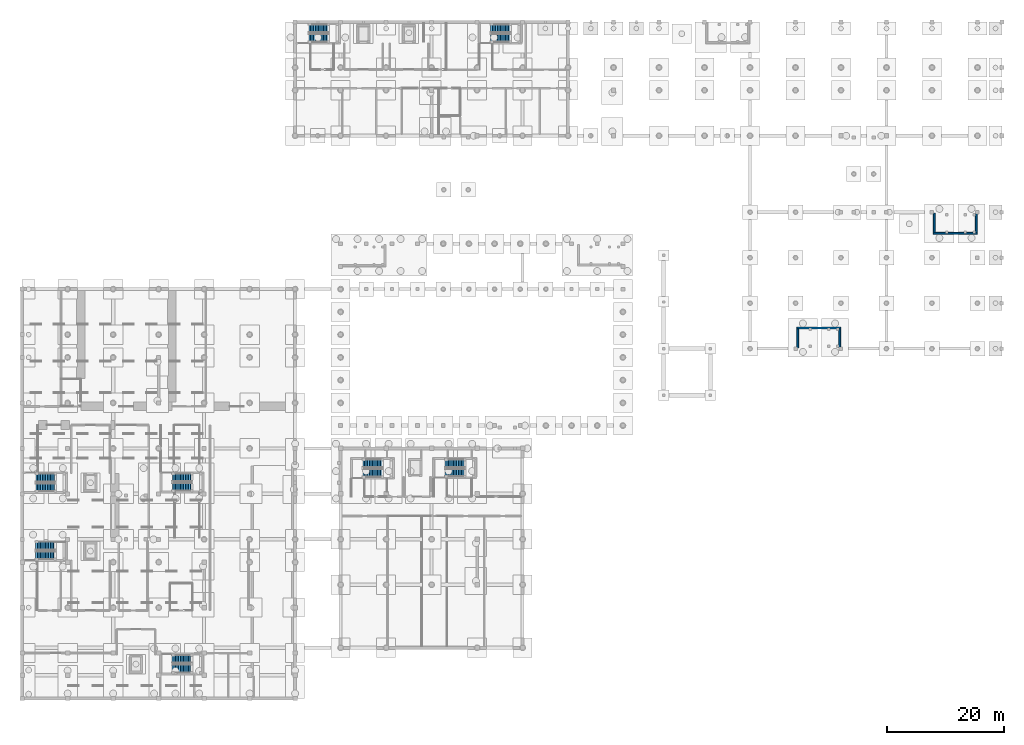
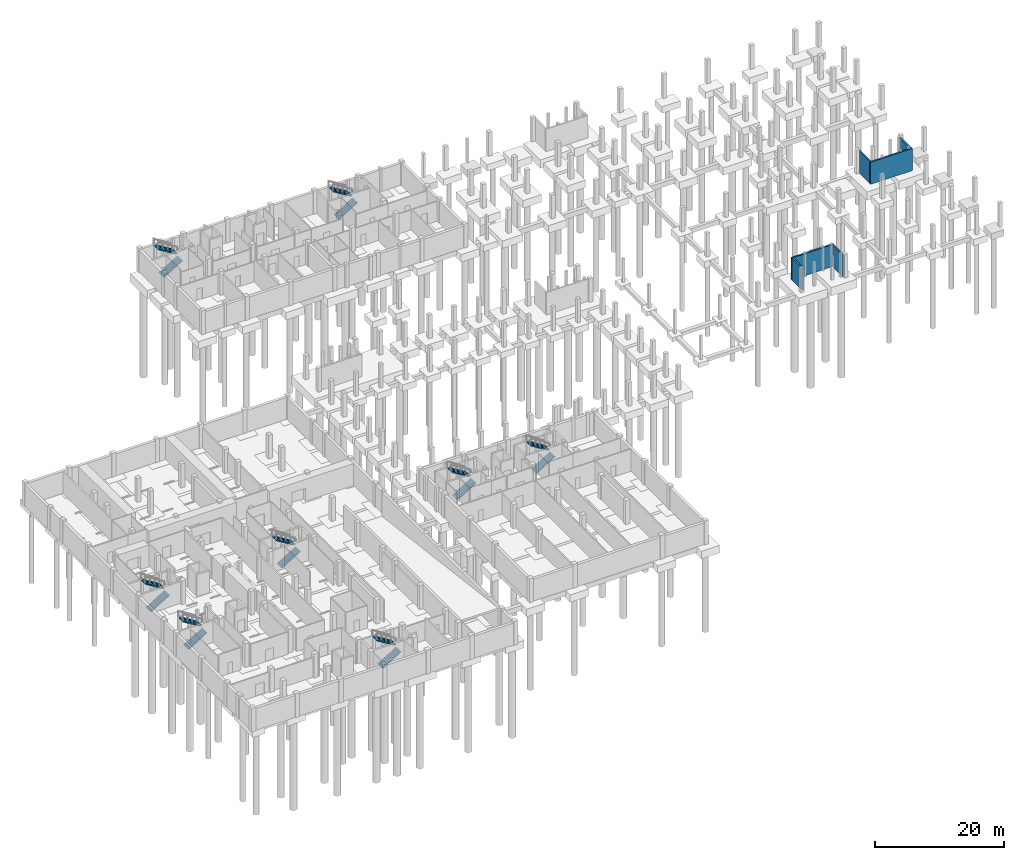
# One storey, part 18 of 24: 16 stair flights, 6 walls, 8 elements without a shape of their own.
"""IFC4 building model written with IfcOpenShell, lengths in metres."""

from ifc_helpers import new_model, si_unit, direction, frame, frame_2d, origin, place, context, subcontext, project, spatial, polyline, rectangle, outline, extrude, material, layer, layer_set, type_object, element, aggregate, save


model = new_model("IFC4")

# Units and contexts
model_context = context("Model", 3, precision=1e-05, world=origin(), true_north=direction((0.0, 1.0)))
body_context = subcontext(model_context, "Body", "Model", "MODEL_VIEW")
ifc_project = project(units=[si_unit("LENGTHUNIT", "METRE"), si_unit("AREAUNIT", "SQUARE_METRE"), si_unit("VOLUMEUNIT", "CUBIC_METRE"), si_unit("PLANEANGLEUNIT", "RADIAN"), si_unit("MASSUNIT", "GRAM", prefix="KILO")], contexts=[model_context])

# Site, building, storey
site_placement = place(None, origin())
site = spatial("IfcSite", under=ifc_project, at=site_placement, CompositionType="ELEMENT")
building_placement = place(site_placement, origin())
building = spatial("IfcBuilding", under=site, at=building_placement, Name="Celorna Specialist Clinic", CompositionType="ELEMENT")
storey_placement = place(building_placement, frame((0.0, 0.0, -4.5)))
storey = spatial("IfcBuildingStorey", under=building, at=storey_placement, Name="B01", CompositionType="ELEMENT", Elevation=-4.5)

# Walls
ifc_material = material(Name="Concrete C35/45", Category="concrete")
ifc_layer = layer(ifc_material, 0.300048828125, Name="Concrete C35/45")
ifc_layer_set = layer_set([ifc_layer], Name="Concrete C35/45")
wall_type = type_object("IfcWallType", Name="WT-08", PredefinedType="SHEAR", material=ifc_layer_set)
wall_1_placement = place(storey_placement, frame((156.239990234375, 79.77001953125, 0.0), z_axis=(0.0, 0.0, 1.0), x_axis=(1.0, 0.0, 0.0)))
element("IfcWall", 1, at=wall_1_placement, inside=storey, type_object=wall_type, Name="Stair ST-12 RC core wall B01 south", PredefinedType="SHEAR", context=body_context, shape_type="SweptSolid", body=[
    extrude(rectangle(XDim=7.5, YDim=0.300048828125, at=frame_2d((3.75, 0.0))), origin(), (0.0, 0.0, 1.0), 4.159912109375),
])
for number, where, z_axis, x_axis, name in (
    (2, (156.389892578125, 83.25, 0.0), (0.0, 0.0, 1.0), (0.0, -1.0, 0.0), "Stair ST-12 RC core wall B01 west"),
    (3, (163.590087890625, 79.919921875, 0.0), (0.0, 0.0, 1.0), (0.0, 1.0, 0.0), "Stair ST-12 RC core wall B01 east"),
):
    element("IfcWall", number, at=place(storey_placement, frame(where, z_axis=z_axis, x_axis=x_axis)), inside=storey, type_object=wall_type, Name=name, PredefinedType="SHEAR", context=body_context, shape_type="SweptSolid", body=[
        extrude(rectangle(XDim=3.330078125, YDim=0.300048828125, at=frame_2d((1.6650390625, 0.0))), origin(), (0.0, 0.0, 1.0), 4.159912109375),
    ])
wall_2_placement = place(storey_placement, frame((140.340087890625, 63.530029296875, 0.0), z_axis=(0.0, 0.0, 1.0), x_axis=(-1.0, 0.0, 0.0)))
element("IfcWall", 4, at=wall_2_placement, inside=storey, type_object=wall_type, Name="Stair ST-13 RC core wall B01 north", PredefinedType="SHEAR", context=body_context, shape_type="SweptSolid", body=[
    extrude(rectangle(XDim=7.5, YDim=0.300048828125, at=frame_2d((3.75, 0.0))), origin(), (0.0, 0.0, 1.0), 4.159912109375),
])
for number, where, z_axis, x_axis, name in (
    (5, (132.989990234375, 63.3798828125, 0.0), (0.0, 0.0, 1.0), (0.0, -1.0, 0.0), "Stair ST-13 RC core wall B01 west"),
    (6, (140.18994140625, 60.14990234375, 0.0), (0.0, 0.0, 1.0), (0.0, 1.0, 0.0), "Stair ST-13 RC core wall B01 east"),
):
    element("IfcWall", number, at=place(storey_placement, frame(where, z_axis=z_axis, x_axis=x_axis)), inside=storey, type_object=wall_type, Name=name, PredefinedType="SHEAR", context=body_context, shape_type="SweptSolid", body=[
        extrude(rectangle(XDim=3.22998046875, YDim=0.300048828125, at=frame_2d((1.614990234375, 0.0))), origin(), (0.0, 0.0, 1.0), 4.159912109375),
    ])

# Stair, stair flights
stair_type_1 = type_object("IfcStairType", Name="ST-01", PredefinedType="HALF_TURN_STAIR", material=ifc_material)
stair_1_placement = place(storey_placement, origin())
stair_1 = element("IfcStair", 7, at=stair_1_placement, inside=storey, type_object=stair_type_1, Name="B01 Protected exit stair ST-01", PredefinedType="HALF_TURN_STAIR")
stair_flight_type_1 = type_object("IfcStairFlightType", Name="SFL-01", PredefinedType="STRAIGHT", material=ifc_material)
stair_flight_1_placement = place(storey_placement, frame((49.139892578125, 113.2451171875, 0.0), z_axis=(0.0, 0.0, 1.0), x_axis=(1.0, 0.0, 0.0)))
stair_flight_1 = element("IfcStairFlight", 8, at=stair_flight_1_placement, type_object=stair_flight_type_1, Name="ST-01 flight 1", NumberOfRisers=13, NumberOfTreads=12, PredefinedType="STRAIGHT", RiserHeight=0.173076923, TreadLength=0.28, context=body_context, shape_type="SweptSolid", body=[
    extrude(outline(polyline([(0.0, 0.0), (0.0, 0.173095703125), (0.280029296875, 0.173095703125), (0.280029296875, 0.34619140625), (0.56005859375, 0.34619140625), (0.56005859375, 0.519287109375), (0.840087890625, 0.519287109375), (0.840087890625, 0.6923828125), (1.1201171875, 0.6923828125), (1.1201171875, 0.865478515625), (1.39990234375, 0.865478515625), (1.39990234375, 1.03857421875), (1.679931640625, 1.03857421875), (1.679931640625, 1.21142578125), (1.9599609375, 1.21142578125), (1.9599609375, 1.384521484375), (2.239990234375, 1.384521484375), (2.239990234375, 1.5576171875), (2.52001953125, 1.5576171875), (2.52001953125, 1.730712890625), (2.800048828125, 1.730712890625), (2.800048828125, 1.90380859375), (3.080078125, 1.90380859375), (3.080078125, 2.076904296875), (3.360107421875, 2.076904296875), (3.360107421875, 2.25), (3.360107421875, 1.900634765625), (0.28515625, 0.0), (0.0, 0.0)])), frame((0.0, 0.72509765625, 0.0), z_axis=(0.0, -1.0, 0.0), x_axis=(1.0, 0.0, 0.0)), (0.0, 0.0, 1.0), 1.449951171875),
])
stair_flight_2_placement = place(storey_placement, frame((52.5, 114.89501953125, 2.25), z_axis=(0.0, 0.0, 1.0), x_axis=(-1.0, 0.0, 0.0)))
stair_flight_2 = element("IfcStairFlight", 9, at=stair_flight_2_placement, type_object=stair_flight_type_1, Name="ST-01 flight 2", NumberOfRisers=13, NumberOfTreads=12, PredefinedType="STRAIGHT", RiserHeight=0.173076923, TreadLength=0.28, context=body_context, shape_type="SweptSolid", body=[
    extrude(outline(polyline([(0.0, 0.0), (0.0, 0.173095703125), (0.280029296875, 0.173095703125), (0.280029296875, 0.34619140625), (0.56005859375, 0.34619140625), (0.56005859375, 0.519287109375), (0.840087890625, 0.519287109375), (0.840087890625, 0.6923828125), (1.1201171875, 0.6923828125), (1.1201171875, 0.865478515625), (1.39990234375, 0.865478515625), (1.39990234375, 1.03857421875), (1.679931640625, 1.03857421875), (1.679931640625, 1.21142578125), (1.9599609375, 1.21142578125), (1.9599609375, 1.384521484375), (2.239990234375, 1.384521484375), (2.239990234375, 1.5576171875), (2.52001953125, 1.5576171875), (2.52001953125, 1.730712890625), (2.800048828125, 1.730712890625), (2.800048828125, 1.90380859375), (3.080078125, 1.90380859375), (3.080078125, 2.076904296875), (3.360107421875, 2.076904296875), (3.360107421875, 2.25), (3.360107421875, 1.900634765625), (0.28515625, 0.0), (0.0, 0.0)])), frame((0.0, 0.72509765625, 0.0), z_axis=(0.0, -1.0, 0.0), x_axis=(1.0, 0.0, 0.0)), (0.0, 0.0, 1.0), 1.449951171875),
])
aggregate(stair_1, [stair_flight_1, stair_flight_2])

stair_2_placement = place(storey_placement, origin())
stair_2 = element("IfcStair", 10, at=stair_2_placement, inside=storey, type_object=stair_type_1, Name="B01 Protected exit stair ST-02", PredefinedType="HALF_TURN_STAIR")
stair_flight_3_placement = place(storey_placement, frame((80.340087890625, 113.2451171875, 0.0), z_axis=(0.0, 0.0, 1.0), x_axis=(1.0, 0.0, 0.0)))
stair_flight_3 = element("IfcStairFlight", 11, at=stair_flight_3_placement, type_object=stair_flight_type_1, Name="ST-02 flight 1", NumberOfRisers=13, NumberOfTreads=12, PredefinedType="STRAIGHT", RiserHeight=0.173076923, TreadLength=0.28, context=body_context, shape_type="SweptSolid", body=[
    extrude(outline(polyline([(0.0, 0.0), (0.0, 0.173095703125), (0.280029296875, 0.173095703125), (0.280029296875, 0.34619140625), (0.56005859375, 0.34619140625), (0.56005859375, 0.519287109375), (0.840087890625, 0.519287109375), (0.840087890625, 0.6923828125), (1.1201171875, 0.6923828125), (1.1201171875, 0.865478515625), (1.39990234375, 0.865478515625), (1.39990234375, 1.03857421875), (1.679931640625, 1.03857421875), (1.679931640625, 1.21142578125), (1.9599609375, 1.21142578125), (1.9599609375, 1.384521484375), (2.239990234375, 1.384521484375), (2.239990234375, 1.5576171875), (2.52001953125, 1.5576171875), (2.52001953125, 1.730712890625), (2.800048828125, 1.730712890625), (2.800048828125, 1.90380859375), (3.080078125, 1.90380859375), (3.080078125, 2.076904296875), (3.360107421875, 2.076904296875), (3.360107421875, 2.25), (3.360107421875, 1.900634765625), (0.28515625, 0.0), (0.0, 0.0)])), frame((0.0, 0.72509765625, 0.0), z_axis=(0.0, -1.0, 0.0), x_axis=(1.0, 0.0, 0.0)), (0.0, 0.0, 1.0), 1.449951171875),
])
stair_flight_4_placement = place(storey_placement, frame((83.699951171875, 114.89501953125, 2.25), z_axis=(0.0, 0.0, 1.0), x_axis=(-1.0, 0.0, 0.0)))
stair_flight_4 = element("IfcStairFlight", 12, at=stair_flight_4_placement, type_object=stair_flight_type_1, Name="ST-02 flight 2", NumberOfRisers=13, NumberOfTreads=12, PredefinedType="STRAIGHT", RiserHeight=0.173076923, TreadLength=0.28, context=body_context, shape_type="SweptSolid", body=[
    extrude(outline(polyline([(0.0, 0.0), (0.0, 0.173095703125), (0.280029296875, 0.173095703125), (0.280029296875, 0.34619140625), (0.56005859375, 0.34619140625), (0.56005859375, 0.519287109375), (0.840087890625, 0.519287109375), (0.840087890625, 0.6923828125), (1.1201171875, 0.6923828125), (1.1201171875, 0.865478515625), (1.39990234375, 0.865478515625), (1.39990234375, 1.03857421875), (1.679931640625, 1.03857421875), (1.679931640625, 1.21142578125), (1.9599609375, 1.21142578125), (1.9599609375, 1.384521484375), (2.239990234375, 1.384521484375), (2.239990234375, 1.5576171875), (2.52001953125, 1.5576171875), (2.52001953125, 1.730712890625), (2.800048828125, 1.730712890625), (2.800048828125, 1.90380859375), (3.080078125, 1.90380859375), (3.080078125, 2.076904296875), (3.360107421875, 2.076904296875), (3.360107421875, 2.25), (3.360107421875, 1.900634765625), (0.28515625, 0.0), (0.0, 0.0)])), frame((0.0, 0.72509765625, 0.0), z_axis=(0.0, -1.0, 0.0), x_axis=(1.0, 0.0, 0.0)), (0.0, 0.0, 1.0), 1.449951171875),
])
aggregate(stair_2, [stair_flight_3, stair_flight_4])

stair_3_placement = place(storey_placement, origin())
stair_3 = element("IfcStair", 13, at=stair_3_placement, inside=storey, type_object=stair_type_1, Name="B01 Protected exit stair ST-04", PredefinedType="HALF_TURN_STAIR")
stair_flight_5_placement = place(storey_placement, frame((2.31005859375, 24.544921875, 0.0), z_axis=(0.0, 0.0, 1.0), x_axis=(1.0, 0.0, 0.0)))
stair_flight_5 = element("IfcStairFlight", 14, at=stair_flight_5_placement, type_object=stair_flight_type_1, Name="ST-04 flight 1", NumberOfRisers=13, NumberOfTreads=12, PredefinedType="STRAIGHT", RiserHeight=0.173076923, TreadLength=0.28, context=body_context, shape_type="SweptSolid", body=[
    extrude(outline(polyline([(0.0, 0.0), (0.0, 0.173095703125), (0.280029296875, 0.173095703125), (0.280029296875, 0.34619140625), (0.56005859375, 0.34619140625), (0.56005859375, 0.519287109375), (0.840087890625, 0.519287109375), (0.840087890625, 0.6923828125), (1.1201171875, 0.6923828125), (1.1201171875, 0.865478515625), (1.39990234375, 0.865478515625), (1.39990234375, 1.03857421875), (1.679931640625, 1.03857421875), (1.679931640625, 1.21142578125), (1.9599609375, 1.21142578125), (1.9599609375, 1.384521484375), (2.239990234375, 1.384521484375), (2.239990234375, 1.5576171875), (2.52001953125, 1.5576171875), (2.52001953125, 1.730712890625), (2.800048828125, 1.730712890625), (2.800048828125, 1.90380859375), (3.080078125, 1.90380859375), (3.080078125, 2.076904296875), (3.360107421875, 2.076904296875), (3.360107421875, 2.25), (3.360107421875, 1.900634765625), (0.28515625, 0.0), (0.0, 0.0)])), frame((0.0, 0.72509765625, 0.0), z_axis=(0.0, -1.0, 0.0), x_axis=(1.0, 0.0, 0.0)), (0.0, 0.0, 1.0), 1.449951171875),
])
stair_flight_6_placement = place(storey_placement, frame((5.669921875, 26.195068359375, 2.25), z_axis=(0.0, 0.0, 1.0), x_axis=(-1.0, 0.0, 0.0)))
stair_flight_6 = element("IfcStairFlight", 15, at=stair_flight_6_placement, type_object=stair_flight_type_1, Name="ST-04 flight 2", NumberOfRisers=13, NumberOfTreads=12, PredefinedType="STRAIGHT", RiserHeight=0.173076923, TreadLength=0.28, context=body_context, shape_type="SweptSolid", body=[
    extrude(outline(polyline([(0.0, 0.0), (0.0, 0.173095703125), (0.280029296875, 0.173095703125), (0.280029296875, 0.34619140625), (0.56005859375, 0.34619140625), (0.56005859375, 0.519287109375), (0.840087890625, 0.519287109375), (0.840087890625, 0.6923828125), (1.1201171875, 0.6923828125), (1.1201171875, 0.865478515625), (1.39990234375, 0.865478515625), (1.39990234375, 1.03857421875), (1.679931640625, 1.03857421875), (1.679931640625, 1.21142578125), (1.9599609375, 1.21142578125), (1.9599609375, 1.384521484375), (2.239990234375, 1.384521484375), (2.239990234375, 1.5576171875), (2.52001953125, 1.5576171875), (2.52001953125, 1.730712890625), (2.800048828125, 1.730712890625), (2.800048828125, 1.90380859375), (3.080078125, 1.90380859375), (3.080078125, 2.076904296875), (3.360107421875, 2.076904296875), (3.360107421875, 2.25), (3.360107421875, 1.900634765625), (0.28515625, 0.0), (0.0, 0.0)])), frame((0.0, 0.72509765625, 0.0), z_axis=(0.0, -1.0, 0.0), x_axis=(1.0, 0.0, 0.0)), (0.0, 0.0, 1.0), 1.449951171875),
])
aggregate(stair_3, [stair_flight_5, stair_flight_6])

stair_4_placement = place(storey_placement, origin())
stair_4 = element("IfcStair", 16, at=stair_4_placement, inside=storey, type_object=stair_type_1, Name="B01 Protected exit stair ST-05", PredefinedType="HALF_TURN_STAIR")
stair_flight_7_placement = place(storey_placement, frame((25.7099609375, 5.10498046875, 0.0), z_axis=(0.0, 0.0, 1.0), x_axis=(1.0, 0.0, 0.0)))
stair_flight_7 = element("IfcStairFlight", 17, at=stair_flight_7_placement, type_object=stair_flight_type_1, Name="ST-05 flight 1", NumberOfRisers=13, NumberOfTreads=12, PredefinedType="STRAIGHT", RiserHeight=0.173076923, TreadLength=0.28, context=body_context, shape_type="SweptSolid", body=[
    extrude(outline(polyline([(0.0, 0.0), (0.0, 0.173095703125), (0.280029296875, 0.173095703125), (0.280029296875, 0.34619140625), (0.56005859375, 0.34619140625), (0.56005859375, 0.519287109375), (0.840087890625, 0.519287109375), (0.840087890625, 0.6923828125), (1.1201171875, 0.6923828125), (1.1201171875, 0.865478515625), (1.39990234375, 0.865478515625), (1.39990234375, 1.03857421875), (1.679931640625, 1.03857421875), (1.679931640625, 1.21142578125), (1.9599609375, 1.21142578125), (1.9599609375, 1.384521484375), (2.239990234375, 1.384521484375), (2.239990234375, 1.5576171875), (2.52001953125, 1.5576171875), (2.52001953125, 1.730712890625), (2.800048828125, 1.730712890625), (2.800048828125, 1.90380859375), (3.080078125, 1.90380859375), (3.080078125, 2.076904296875), (3.360107421875, 2.076904296875), (3.360107421875, 2.25), (3.360107421875, 1.900634765625), (0.28515625, 0.0), (0.0, 0.0)])), frame((0.0, 0.72509765625, 0.0), z_axis=(0.0, -1.0, 0.0), x_axis=(1.0, 0.0, 0.0)), (0.0, 0.0, 1.0), 1.449951171875),
])
stair_flight_8_placement = place(storey_placement, frame((29.070068359375, 6.7548828125, 2.25), z_axis=(0.0, 0.0, 1.0), x_axis=(-1.0, 0.0, 0.0)))
stair_flight_8 = element("IfcStairFlight", 18, at=stair_flight_8_placement, type_object=stair_flight_type_1, Name="ST-05 flight 2", NumberOfRisers=13, NumberOfTreads=12, PredefinedType="STRAIGHT", RiserHeight=0.173076923, TreadLength=0.28, context=body_context, shape_type="SweptSolid", body=[
    extrude(outline(polyline([(0.0, 0.0), (0.0, 0.173095703125), (0.280029296875, 0.173095703125), (0.280029296875, 0.34619140625), (0.56005859375, 0.34619140625), (0.56005859375, 0.519287109375), (0.840087890625, 0.519287109375), (0.840087890625, 0.6923828125), (1.1201171875, 0.6923828125), (1.1201171875, 0.865478515625), (1.39990234375, 0.865478515625), (1.39990234375, 1.03857421875), (1.679931640625, 1.03857421875), (1.679931640625, 1.21142578125), (1.9599609375, 1.21142578125), (1.9599609375, 1.384521484375), (2.239990234375, 1.384521484375), (2.239990234375, 1.5576171875), (2.52001953125, 1.5576171875), (2.52001953125, 1.730712890625), (2.800048828125, 1.730712890625), (2.800048828125, 1.90380859375), (3.080078125, 1.90380859375), (3.080078125, 2.076904296875), (3.360107421875, 2.076904296875), (3.360107421875, 2.25), (3.360107421875, 1.900634765625), (0.28515625, 0.0), (0.0, 0.0)])), frame((0.0, 0.72509765625, 0.0), z_axis=(0.0, -1.0, 0.0), x_axis=(1.0, 0.0, 0.0)), (0.0, 0.0, 1.0), 1.449951171875),
])
aggregate(stair_4, [stair_flight_7, stair_flight_8])

stair_5_placement = place(storey_placement, origin())
stair_5 = element("IfcStair", 19, at=stair_5_placement, inside=storey, type_object=stair_type_1, Name="B01 Protected exit stair ST-06", PredefinedType="HALF_TURN_STAIR")
stair_flight_9_placement = place(storey_placement, frame((2.340087890625, 36.205078125, 0.0), z_axis=(0.0, 0.0, 1.0), x_axis=(1.0, 0.0, 0.0)))
stair_flight_9 = element("IfcStairFlight", 20, at=stair_flight_9_placement, type_object=stair_flight_type_1, Name="ST-06 flight 1", NumberOfRisers=13, NumberOfTreads=12, PredefinedType="STRAIGHT", RiserHeight=0.173076923, TreadLength=0.28, context=body_context, shape_type="SweptSolid", body=[
    extrude(outline(polyline([(0.0, 0.0), (0.0, 0.173095703125), (0.280029296875, 0.173095703125), (0.280029296875, 0.34619140625), (0.56005859375, 0.34619140625), (0.56005859375, 0.519287109375), (0.840087890625, 0.519287109375), (0.840087890625, 0.6923828125), (1.1201171875, 0.6923828125), (1.1201171875, 0.865478515625), (1.39990234375, 0.865478515625), (1.39990234375, 1.03857421875), (1.679931640625, 1.03857421875), (1.679931640625, 1.21142578125), (1.9599609375, 1.21142578125), (1.9599609375, 1.384521484375), (2.239990234375, 1.384521484375), (2.239990234375, 1.5576171875), (2.52001953125, 1.5576171875), (2.52001953125, 1.730712890625), (2.800048828125, 1.730712890625), (2.800048828125, 1.90380859375), (3.080078125, 1.90380859375), (3.080078125, 2.076904296875), (3.360107421875, 2.076904296875), (3.360107421875, 2.25), (3.360107421875, 1.900634765625), (0.28515625, 0.0), (0.0, 0.0)])), frame((0.0, 0.72509765625, 0.0), z_axis=(0.0, -1.0, 0.0), x_axis=(1.0, 0.0, 0.0)), (0.0, 0.0, 1.0), 1.449951171875),
])
stair_flight_10_placement = place(storey_placement, frame((5.699951171875, 37.85498046875, 2.25), z_axis=(0.0, 0.0, 1.0), x_axis=(-1.0, 0.0, 0.0)))
stair_flight_10 = element("IfcStairFlight", 21, at=stair_flight_10_placement, type_object=stair_flight_type_1, Name="ST-06 flight 2", NumberOfRisers=13, NumberOfTreads=12, PredefinedType="STRAIGHT", RiserHeight=0.173076923, TreadLength=0.28, context=body_context, shape_type="SweptSolid", body=[
    extrude(outline(polyline([(0.0, 0.0), (0.0, 0.173095703125), (0.280029296875, 0.173095703125), (0.280029296875, 0.34619140625), (0.56005859375, 0.34619140625), (0.56005859375, 0.519287109375), (0.840087890625, 0.519287109375), (0.840087890625, 0.6923828125), (1.1201171875, 0.6923828125), (1.1201171875, 0.865478515625), (1.39990234375, 0.865478515625), (1.39990234375, 1.03857421875), (1.679931640625, 1.03857421875), (1.679931640625, 1.21142578125), (1.9599609375, 1.21142578125), (1.9599609375, 1.384521484375), (2.239990234375, 1.384521484375), (2.239990234375, 1.5576171875), (2.52001953125, 1.5576171875), (2.52001953125, 1.730712890625), (2.800048828125, 1.730712890625), (2.800048828125, 1.90380859375), (3.080078125, 1.90380859375), (3.080078125, 2.076904296875), (3.360107421875, 2.076904296875), (3.360107421875, 2.25), (3.360107421875, 1.900634765625), (0.28515625, 0.0), (0.0, 0.0)])), frame((0.0, 0.72509765625, 0.0), z_axis=(0.0, -1.0, 0.0), x_axis=(1.0, 0.0, 0.0)), (0.0, 0.0, 1.0), 1.449951171875),
])
aggregate(stair_5, [stair_flight_9, stair_flight_10])

stair_6_placement = place(storey_placement, origin())
stair_6 = element("IfcStair", 22, at=stair_6_placement, inside=storey, type_object=stair_type_1, Name="B01 Protected exit stair ST-08", PredefinedType="HALF_TURN_STAIR")
stair_flight_11_placement = place(storey_placement, frame((58.39990234375, 38.64501953125, 0.0), z_axis=(0.0, 0.0, 1.0), x_axis=(1.0, 0.0, 0.0)))
stair_flight_11 = element("IfcStairFlight", 23, at=stair_flight_11_placement, type_object=stair_flight_type_1, Name="ST-08 flight 1", NumberOfRisers=13, NumberOfTreads=12, PredefinedType="STRAIGHT", RiserHeight=0.173076923, TreadLength=0.28, context=body_context, shape_type="SweptSolid", body=[
    extrude(outline(polyline([(0.0, 0.0), (0.0, 0.173095703125), (0.280029296875, 0.173095703125), (0.280029296875, 0.34619140625), (0.56005859375, 0.34619140625), (0.56005859375, 0.519287109375), (0.840087890625, 0.519287109375), (0.840087890625, 0.6923828125), (1.1201171875, 0.6923828125), (1.1201171875, 0.865478515625), (1.39990234375, 0.865478515625), (1.39990234375, 1.03857421875), (1.679931640625, 1.03857421875), (1.679931640625, 1.21142578125), (1.9599609375, 1.21142578125), (1.9599609375, 1.384521484375), (2.239990234375, 1.384521484375), (2.239990234375, 1.5576171875), (2.52001953125, 1.5576171875), (2.52001953125, 1.730712890625), (2.800048828125, 1.730712890625), (2.800048828125, 1.90380859375), (3.080078125, 1.90380859375), (3.080078125, 2.076904296875), (3.360107421875, 2.076904296875), (3.360107421875, 2.25), (3.360107421875, 1.900634765625), (0.28515625, 0.0), (0.0, 0.0)])), frame((0.0, 0.72509765625, 0.0), z_axis=(0.0, -1.0, 0.0), x_axis=(1.0, 0.0, 0.0)), (0.0, 0.0, 1.0), 1.449951171875),
])
stair_flight_12_placement = place(storey_placement, frame((61.760009765625, 40.294921875, 2.25), z_axis=(0.0, 0.0, 1.0), x_axis=(-1.0, 0.0, 0.0)))
stair_flight_12 = element("IfcStairFlight", 24, at=stair_flight_12_placement, type_object=stair_flight_type_1, Name="ST-08 flight 2", NumberOfRisers=13, NumberOfTreads=12, PredefinedType="STRAIGHT", RiserHeight=0.173076923, TreadLength=0.28, context=body_context, shape_type="SweptSolid", body=[
    extrude(outline(polyline([(0.0, 0.0), (0.0, 0.173095703125), (0.280029296875, 0.173095703125), (0.280029296875, 0.34619140625), (0.56005859375, 0.34619140625), (0.56005859375, 0.519287109375), (0.840087890625, 0.519287109375), (0.840087890625, 0.6923828125), (1.1201171875, 0.6923828125), (1.1201171875, 0.865478515625), (1.39990234375, 0.865478515625), (1.39990234375, 1.03857421875), (1.679931640625, 1.03857421875), (1.679931640625, 1.21142578125), (1.9599609375, 1.21142578125), (1.9599609375, 1.384521484375), (2.239990234375, 1.384521484375), (2.239990234375, 1.5576171875), (2.52001953125, 1.5576171875), (2.52001953125, 1.730712890625), (2.800048828125, 1.730712890625), (2.800048828125, 1.90380859375), (3.080078125, 1.90380859375), (3.080078125, 2.076904296875), (3.360107421875, 2.076904296875), (3.360107421875, 2.25), (3.360107421875, 1.900634765625), (0.28515625, 0.0), (0.0, 0.0)])), frame((0.0, 0.72509765625, 0.0), z_axis=(0.0, -1.0, 0.0), x_axis=(1.0, 0.0, 0.0)), (0.0, 0.0, 1.0), 1.449951171875),
])
aggregate(stair_6, [stair_flight_11, stair_flight_12])

stair_type_2 = type_object("IfcStairType", Name="ST-04", PredefinedType="HALF_TURN_STAIR", material=ifc_material)
stair_7_placement = place(storey_placement, origin())
stair_7 = element("IfcStair", 25, at=stair_7_placement, inside=storey, type_object=stair_type_2, Name="B01 Protected exit stair ST-07", PredefinedType="HALF_TURN_STAIR")
stair_flight_type_2 = type_object("IfcStairFlightType", Name="SFL-04", PredefinedType="STRAIGHT", material=ifc_material)
stair_flight_13_placement = place(storey_placement, frame((25.739990234375, 36.280029296875, 0.0), z_axis=(0.0, 0.0, 1.0), x_axis=(1.0, 0.0, 0.0)))
stair_flight_13 = element("IfcStairFlight", 26, at=stair_flight_13_placement, type_object=stair_flight_type_2, Name="ST-07 flight 1", NumberOfRisers=13, NumberOfTreads=12, PredefinedType="STRAIGHT", RiserHeight=0.173076923, TreadLength=0.28, context=body_context, shape_type="SweptSolid", body=[
    extrude(outline(polyline([(0.0, 0.0), (0.0, 0.173095703125), (0.280029296875, 0.173095703125), (0.280029296875, 0.34619140625), (0.56005859375, 0.34619140625), (0.56005859375, 0.519287109375), (0.840087890625, 0.519287109375), (0.840087890625, 0.6923828125), (1.1201171875, 0.6923828125), (1.1201171875, 0.865478515625), (1.39990234375, 0.865478515625), (1.39990234375, 1.03857421875), (1.679931640625, 1.03857421875), (1.679931640625, 1.21142578125), (1.9599609375, 1.21142578125), (1.9599609375, 1.384521484375), (2.239990234375, 1.384521484375), (2.239990234375, 1.5576171875), (2.52001953125, 1.5576171875), (2.52001953125, 1.730712890625), (2.800048828125, 1.730712890625), (2.800048828125, 1.90380859375), (3.080078125, 1.90380859375), (3.080078125, 2.076904296875), (3.360107421875, 2.076904296875), (3.360107421875, 2.25), (3.360107421875, 1.900634765625), (0.28515625, 0.0), (0.0, 0.0)])), frame((0.0, 0.699951171875, 0.0), z_axis=(0.0, -1.0, 0.0), x_axis=(1.0, 0.0, 0.0)), (0.0, 0.0, 1.0), 1.39990234375),
])
stair_flight_14_placement = place(storey_placement, frame((29.10009765625, 37.8798828125, 2.25), z_axis=(0.0, 0.0, 1.0), x_axis=(-1.0, 0.0, 0.0)))
stair_flight_14 = element("IfcStairFlight", 27, at=stair_flight_14_placement, type_object=stair_flight_type_2, Name="ST-07 flight 2", NumberOfRisers=13, NumberOfTreads=12, PredefinedType="STRAIGHT", RiserHeight=0.173076923, TreadLength=0.28, context=body_context, shape_type="SweptSolid", body=[
    extrude(outline(polyline([(0.0, 0.0), (0.0, 0.173095703125), (0.280029296875, 0.173095703125), (0.280029296875, 0.34619140625), (0.56005859375, 0.34619140625), (0.56005859375, 0.519287109375), (0.840087890625, 0.519287109375), (0.840087890625, 0.6923828125), (1.1201171875, 0.6923828125), (1.1201171875, 0.865478515625), (1.39990234375, 0.865478515625), (1.39990234375, 1.03857421875), (1.679931640625, 1.03857421875), (1.679931640625, 1.21142578125), (1.9599609375, 1.21142578125), (1.9599609375, 1.384521484375), (2.239990234375, 1.384521484375), (2.239990234375, 1.5576171875), (2.52001953125, 1.5576171875), (2.52001953125, 1.730712890625), (2.800048828125, 1.730712890625), (2.800048828125, 1.90380859375), (3.080078125, 1.90380859375), (3.080078125, 2.076904296875), (3.360107421875, 2.076904296875), (3.360107421875, 2.25), (3.360107421875, 1.900634765625), (0.28515625, 0.0), (0.0, 0.0)])), frame((0.0, 0.699951171875, 0.0), z_axis=(0.0, -1.0, 0.0), x_axis=(1.0, 0.0, 0.0)), (0.0, 0.0, 1.0), 1.39990234375),
])
aggregate(stair_7, [stair_flight_13, stair_flight_14])

stair_8_placement = place(storey_placement, origin())
stair_8 = element("IfcStair", 28, at=stair_8_placement, inside=storey, type_object=stair_type_2, Name="B01 Protected exit stair ST-09", PredefinedType="HALF_TURN_STAIR")
stair_flight_15_placement = place(storey_placement, frame((72.5400390625, 38.719970703125, 0.0), z_axis=(0.0, 0.0, 1.0), x_axis=(1.0, 0.0, 0.0)))
stair_flight_15 = element("IfcStairFlight", 29, at=stair_flight_15_placement, type_object=stair_flight_type_2, Name="ST-09 flight 1", NumberOfRisers=13, NumberOfTreads=12, PredefinedType="STRAIGHT", RiserHeight=0.173076923, TreadLength=0.28, context=body_context, shape_type="SweptSolid", body=[
    extrude(outline(polyline([(0.0, 0.0), (0.0, 0.173095703125), (0.280029296875, 0.173095703125), (0.280029296875, 0.34619140625), (0.56005859375, 0.34619140625), (0.56005859375, 0.519287109375), (0.840087890625, 0.519287109375), (0.840087890625, 0.6923828125), (1.1201171875, 0.6923828125), (1.1201171875, 0.865478515625), (1.39990234375, 0.865478515625), (1.39990234375, 1.03857421875), (1.679931640625, 1.03857421875), (1.679931640625, 1.21142578125), (1.9599609375, 1.21142578125), (1.9599609375, 1.384521484375), (2.239990234375, 1.384521484375), (2.239990234375, 1.5576171875), (2.52001953125, 1.5576171875), (2.52001953125, 1.730712890625), (2.800048828125, 1.730712890625), (2.800048828125, 1.90380859375), (3.080078125, 1.90380859375), (3.080078125, 2.076904296875), (3.360107421875, 2.076904296875), (3.360107421875, 2.25), (3.360107421875, 1.900634765625), (0.28515625, 0.0), (0.0, 0.0)])), frame((0.0, 0.699951171875, 0.0), z_axis=(0.0, -1.0, 0.0), x_axis=(1.0, 0.0, 0.0)), (0.0, 0.0, 1.0), 1.39990234375),
])
stair_flight_16_placement = place(storey_placement, frame((75.89990234375, 40.320068359375, 2.25), z_axis=(0.0, 0.0, 1.0), x_axis=(-1.0, 0.0, 0.0)))
stair_flight_16 = element("IfcStairFlight", 30, at=stair_flight_16_placement, type_object=stair_flight_type_2, Name="ST-09 flight 2", NumberOfRisers=13, NumberOfTreads=12, PredefinedType="STRAIGHT", RiserHeight=0.173076923, TreadLength=0.28, context=body_context, shape_type="SweptSolid", body=[
    extrude(outline(polyline([(0.0, 0.0), (0.0, 0.173095703125), (0.280029296875, 0.173095703125), (0.280029296875, 0.34619140625), (0.56005859375, 0.34619140625), (0.56005859375, 0.519287109375), (0.840087890625, 0.519287109375), (0.840087890625, 0.6923828125), (1.1201171875, 0.6923828125), (1.1201171875, 0.865478515625), (1.39990234375, 0.865478515625), (1.39990234375, 1.03857421875), (1.679931640625, 1.03857421875), (1.679931640625, 1.21142578125), (1.9599609375, 1.21142578125), (1.9599609375, 1.384521484375), (2.239990234375, 1.384521484375), (2.239990234375, 1.5576171875), (2.52001953125, 1.5576171875), (2.52001953125, 1.730712890625), (2.800048828125, 1.730712890625), (2.800048828125, 1.90380859375), (3.080078125, 1.90380859375), (3.080078125, 2.076904296875), (3.360107421875, 2.076904296875), (3.360107421875, 2.25), (3.360107421875, 1.900634765625), (0.28515625, 0.0), (0.0, 0.0)])), frame((0.0, 0.699951171875, 0.0), z_axis=(0.0, -1.0, 0.0), x_axis=(1.0, 0.0, 0.0)), (0.0, 0.0, 1.0), 1.39990234375),
])
aggregate(stair_8, [stair_flight_15, stair_flight_16])

save(model, "model.ifc")
